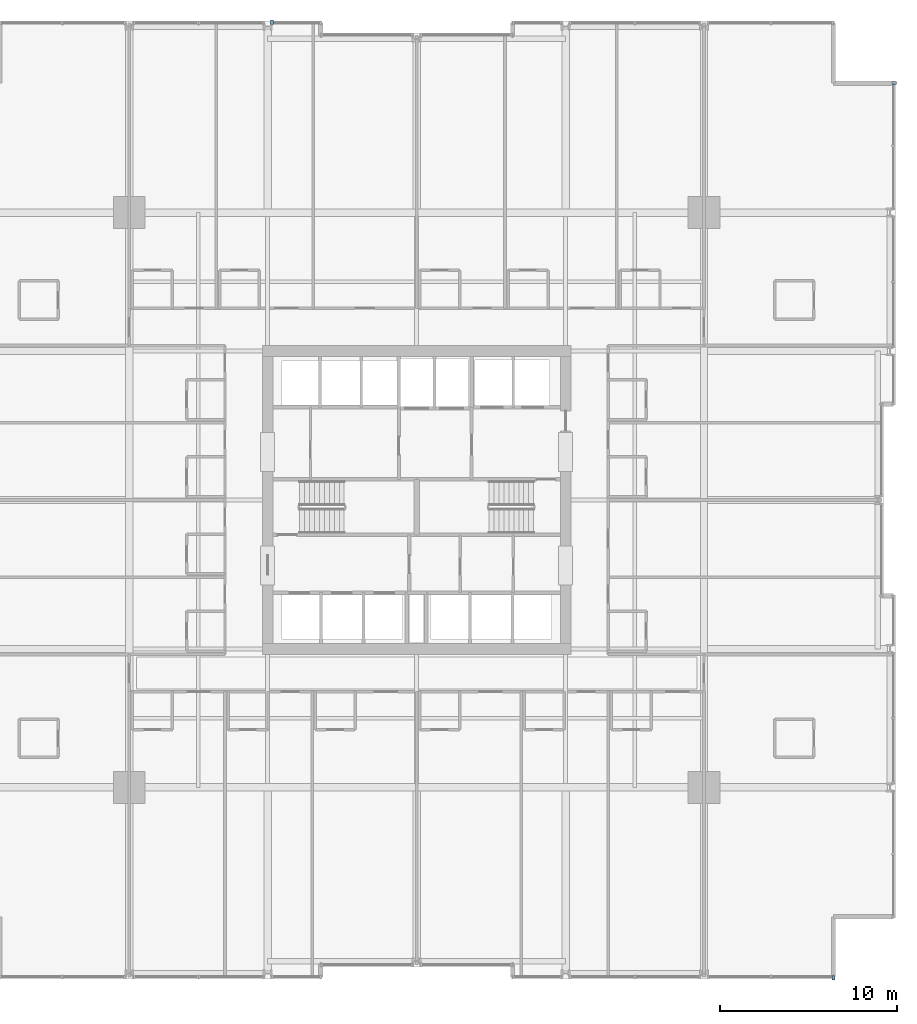
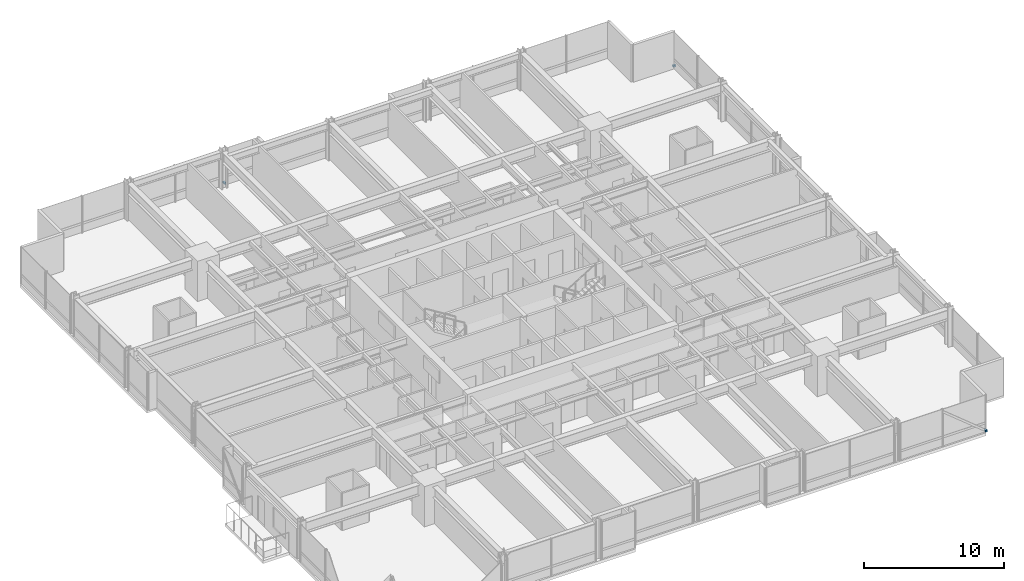
# One storey, part 35 of 39: 3 discrete accessories.
"""IFC4 building model written with IfcOpenShell, lengths in metres."""

import ifcopenshell
import ifcopenshell.guid

model = None  # the IFC model being written
_history = None  # IfcOwnerHistory: only IFC2X3 demands one
_inside = {}  # id of a spatial element -> (the spatial element, [elements in it])
_under = {}  # id of a project, library or spatial element -> (it, [spatial elements below it])
_declared = {}  # id of a project -> (the project, [libraries it declares])
_typed = {}  # id of a type object -> (the type object, [elements of that type])
_made_of = {}  # id of a material, layer set ... -> (it, [elements and type objects made of it])


def new_model(schema):
    """Start an empty IFC model of exactly this schema.

    Asked for "IFC4X3", IfcOpenShell would pick the latest addendum, in which some entities
    have other attributes; the version numbers below select the first issue.
    IFC2X3 requires an IfcOwnerHistory on every rooted entity: one is made here for all.
    """
    global model, _history
    if schema == "IFC4X3":
        model = ifcopenshell.file(schema_version=(4, 3, 0, 0))
    else:
        model = ifcopenshell.file(schema=schema)
    _inside.clear()
    _under.clear()
    _declared.clear()
    _typed.clear()
    _made_of.clear()
    _history = None
    if model.schema == "IFC2X3":
        org = make("IfcOrganization", Name="unknown")
        user = make(
            "IfcPersonAndOrganization",
            ThePerson=make("IfcPerson", FamilyName="unknown"),
            TheOrganization=org,
        )
        app = make(
            "IfcApplication",
            ApplicationDeveloper=org,
            Version="unknown",
            ApplicationFullName="unknown",
            ApplicationIdentifier="unknown",
        )
        _history = make(
            "IfcOwnerHistory",
            OwningUser=user,
            OwningApplication=app,
            ChangeAction="ADDED",
            CreationDate=0,
        )
    return model


def make(cls, **values):
    """One entity of the class cls with the attributes given. An attribute that is None is left unset."""
    return model.create_entity(
        cls, **{name: value for name, value in values.items() if value is not None}
    )


def rooted(cls, **values):
    """An entity with a GlobalId (a new one), such as an element, a storey or a relation."""
    return make(cls, GlobalId=ifcopenshell.guid.new(), OwnerHistory=_history, **values)


def si_unit(unit_type, name, prefix=None):
    """IfcSIUnit, for example si_unit("LENGTHUNIT", "METRE", prefix="MILLI")."""
    return make("IfcSIUnit", UnitType=unit_type, Prefix=prefix, Name=name)


def assignment(units):
    """IfcUnitAssignment: the units of a project."""
    return None if units is None else make("IfcUnitAssignment", Units=units)


def point(xyz):
    """IfcCartesianPoint."""
    return None if xyz is None else make("IfcCartesianPoint", Coordinates=xyz)


def direction(xyz):
    """IfcDirection."""
    return None if xyz is None else make("IfcDirection", DirectionRatios=xyz)


def frame(location, z_axis=None, x_axis=None):
    """IfcAxis2Placement3D, a coordinate frame: its origin and axes. An axis left out is left unset."""
    return make(
        "IfcAxis2Placement3D",
        Location=point(location),
        Axis=direction(z_axis),
        RefDirection=direction(x_axis),
    )


def frame_2d(location, x_axis=None):
    """IfcAxis2Placement2D, a coordinate frame in the plane: its origin and x axis."""
    return make(
        "IfcAxis2Placement2D", Location=point(location), RefDirection=direction(x_axis)
    )


def origin():
    """The frame at (0, 0, 0) with its axes left unset."""
    return frame((0.0, 0.0, 0.0))


def origin_2d():
    """The frame at (0, 0) in the plane with its x axis left unset."""
    return frame_2d((0.0, 0.0))


def place(relative_to, where):
    """IfcLocalPlacement: puts the frame where relative to a parent placement (None: the world)."""
    return make(
        "IfcLocalPlacement", PlacementRelTo=relative_to, RelativePlacement=where
    )


def context(
    kind, dimensions, precision=None, world=None, true_north=None, identifier=None
):
    """IfcGeometricRepresentationContext, for example the 3D "Model" context."""
    return make(
        "IfcGeometricRepresentationContext",
        ContextIdentifier=identifier,
        ContextType=kind,
        CoordinateSpaceDimension=dimensions,
        Precision=precision,
        WorldCoordinateSystem=world,
        TrueNorth=true_north,
    )


def subcontext(parent, identifier, kind, view, scale=None):
    """IfcGeometricRepresentationSubContext, for example "Body" below "Model"."""
    return make(
        "IfcGeometricRepresentationSubContext",
        ContextIdentifier=identifier,
        ContextType=kind,
        ParentContext=parent,
        TargetScale=scale,
        TargetView=view,
    )


def project(units=None, contexts=None):
    """IfcProject with its units and contexts."""
    return rooted(
        "IfcProject",
        Name="project",
        RepresentationContexts=contexts,
        UnitsInContext=assignment(units),
    )


def spatial(cls, under=None, at=None, **own):
    """A site, building, storey or space (cls), placed at a placement, below another one or the project."""
    s = rooted(cls, ObjectPlacement=at, **own)
    if under is not None:
        _under.setdefault(under.id(), (under, []))[1].append(s)
    return s


def profile(cls, at=None, kind="AREA", **sizes):
    """A parametric profile (cls). Its sizes go by their IFC names, for example OverallWidth=200.0."""
    return make(cls, ProfileType=kind, Position=at, **sizes)


def rectangle(**sizes):
    """IfcRectangleProfileDef."""
    return profile("IfcRectangleProfileDef", **sizes)


def extrude(swept, where, along, depth):
    """IfcExtrudedAreaSolid: the profile swept, set in the frame where, extruded along a direction by depth."""
    return make(
        "IfcExtrudedAreaSolid",
        SweptArea=swept,
        Position=where,
        ExtrudedDirection=direction(along),
        Depth=depth,
    )


def shape(context_of_items, identifier, shape_type, items):
    """IfcShapeRepresentation: the items that make up one representation, for example the "Body"."""
    return make(
        "IfcShapeRepresentation",
        ContextOfItems=context_of_items,
        RepresentationIdentifier=identifier,
        RepresentationType=shape_type,
        Items=items,
    )


def material(Name=None, Category=None):
    """IfcMaterial."""
    return make("IfcMaterial", Name=Name, Category=Category)


def made_of(thing, what):
    """Note that an element or type object is made of a material, layer set ...; save() writes the relation."""
    if what is not None:
        _made_of.setdefault(what.id(), (what, []))[1].append(thing)
    return thing


def type_object(cls, material=None, **own):
    """A type object (cls), such as IfcWallType, which elements share."""
    return made_of(rooted(cls, **own), material)


def element(
    cls,
    number,
    at=None,
    inside=None,
    cuts=None,
    type_object=None,
    material=None,
    context=None,
    identifier="Body",
    shape_type=None,
    held_by="IfcProductDefinitionShape",
    body=None,
    shapes=None,
    **own,
):
    """One element of the class cls, such as IfcWall. Its Tag is "e" and its number.

    at: its placement. inside: the storey or other place that contains it. cuts: it is an
    opening in that element (IfcRelVoidsElement). A single representation is given by context,
    identifier, shape_type and body (its items); several are given by shapes. held_by: the class
    of the entity that holds the representations. save() writes the other relations.
    """
    e = rooted(cls, Tag="e%d" % number, ObjectPlacement=at, **own)
    if body is not None:
        shapes = [shape(context, identifier, shape_type, body)]
    if shapes is not None:
        e.Representation = make(held_by, Representations=shapes)
    if inside is not None:
        _inside.setdefault(inside.id(), (inside, []))[1].append(e)
    if cuts is not None:
        rooted(
            "IfcRelVoidsElement", RelatingBuildingElement=cuts, RelatedOpeningElement=e
        )
    if type_object is not None:
        _typed.setdefault(type_object.id(), (type_object, []))[1].append(e)
    return made_of(e, material)


def aggregate(whole, parts):
    """IfcRelAggregates: a whole, such as a stair, and the parts it consists of."""
    return rooted("IfcRelAggregates", RelatingObject=whole, RelatedObjects=parts)


def save(model, path):
    """Write the relations noted so far, then the file.

    IfcRelAggregates (storeys below a building ...), IfcRelContainedInSpatialStructure (elements
    in a storey), IfcRelDefinesByType, IfcRelAssociatesMaterial and IfcRelDeclares: one each for
    every whole, place, type object, material and project.
    """
    for whole, parts in _under.values():
        aggregate(whole, parts)
    for where, things in _inside.values():
        rooted(
            "IfcRelContainedInSpatialStructure",
            RelatedElements=things,
            RelatingStructure=where,
        )
    for kind, things in _typed.values():
        rooted("IfcRelDefinesByType", RelatedObjects=things, RelatingType=kind)
    for what, things in _made_of.values():
        rooted("IfcRelAssociatesMaterial", RelatedObjects=things, RelatingMaterial=what)
    for by, libraries in _declared.values():
        rooted("IfcRelDeclares", RelatingContext=by, RelatedDefinitions=libraries)
    model.write(path)


model = new_model("IFC4")

# Units and contexts
model_context = context("Model", 3, precision=1e-05, world=origin(), true_north=direction((0.0, 1.0)))
body_context = subcontext(model_context, "Body", "Model", "MODEL_VIEW")
ifc_project = project(units=[si_unit("LENGTHUNIT", "METRE"), si_unit("AREAUNIT", "SQUARE_METRE"), si_unit("VOLUMEUNIT", "CUBIC_METRE"), si_unit("PLANEANGLEUNIT", "RADIAN"), si_unit("MASSUNIT", "GRAM", prefix="KILO")], contexts=[model_context])

# Site, building, storey
site_placement = place(None, origin())
site = spatial("IfcSite", under=ifc_project, at=site_placement, CompositionType="ELEMENT")
building_placement = place(site_placement, origin())
building = spatial("IfcBuilding", under=site, at=building_placement, Name="Drelvath Grand Hotel", CompositionType="ELEMENT")
storey_placement = place(building_placement, frame((0.0, 0.0, 40.199951171875)))
storey = spatial("IfcBuildingStorey", under=building, at=storey_placement, Name="L08", CompositionType="ELEMENT", Elevation=40.199951171875)

# Discrete accessories
ifc_material = material(Name="Stainless Steel Grade 316", Category="steel")
discrete_accessory_type = type_object("IfcDiscreteAccessoryType", Name="Curtain Wall Fin Mounting Bracket Cleat", PredefinedType="BRACKET", material=ifc_material)
for number, where, z_axis, x_axis, name in (
    (1, (26.93994140625, 50.5, 0.10009765625), (0.0, 0.0, 1.0), (0.0, -1.0, 0.0), "L08 Fin Mounting Bracket CW02-L08-EN3-1"),
    (2, (-8.1591796875, 53.93994140625, 0.10009765625), (0.0, 0.0, 1.0), (1.0, 0.0, 0.0), "L08 Fin Mounting Bracket CW02-L08-NW3-1"),
    (3, (23.5, 0.06005859375, 0.10009765625), (0.0, 0.0, 1.0), (-1.0, 0.0, 0.0), "L08 Fin Mounting Bracket CW02-L08-SE3-1"),
):
    element("IfcDiscreteAccessory", number, at=place(storey_placement, frame(where, z_axis=z_axis, x_axis=x_axis)), inside=storey, type_object=discrete_accessory_type, Name=name, PredefinedType="BRACKET", context=body_context, shape_type="SweptSolid", body=[
        extrude(rectangle(XDim=0.159912109375, YDim=0.239990234375, at=origin_2d()), origin(), (0.0, 0.0, 1.0), 0.159912109375),
    ])

save(model, "model.ifc")
